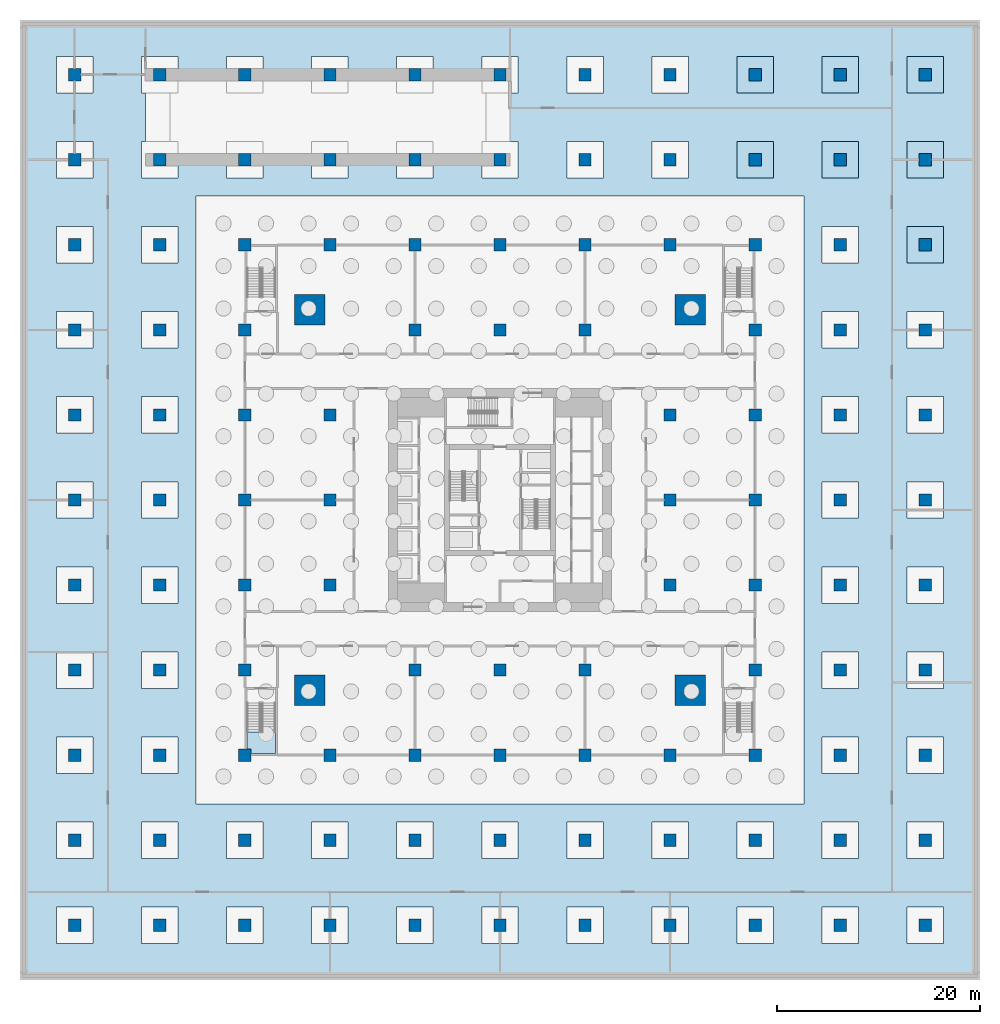
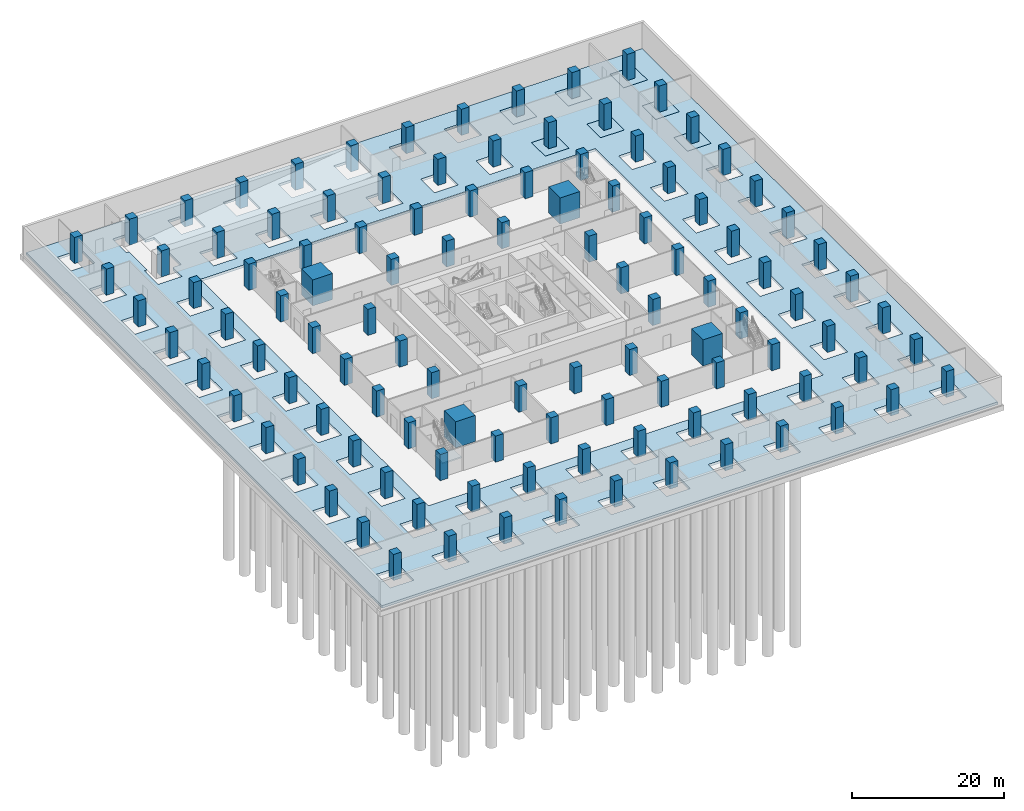
# One storey, part 2 of 19: 112 columns, 7 footings, 2 slabs, 1 element without a shape of its own.
"""IFC4 building model written with IfcOpenShell, lengths in metres."""

from ifc_helpers import new_model, si_unit, direction, frame, origin, origin_2d, place, context, subcontext, project, spatial, polyline, rectangle, outline, extrude, material, layer, layer_set, material_profile, profile_set, type_object, element, aggregate, save


model = new_model("IFC4")

# Units and contexts
model_context = context("Model", 3, precision=1e-05, world=origin(), true_north=direction((0.0, 1.0)))
body_context = subcontext(model_context, "Body", "Model", "MODEL_VIEW")
ifc_project = project(units=[si_unit("LENGTHUNIT", "METRE"), si_unit("AREAUNIT", "SQUARE_METRE"), si_unit("VOLUMEUNIT", "CUBIC_METRE"), si_unit("PLANEANGLEUNIT", "RADIAN"), si_unit("MASSUNIT", "GRAM", prefix="KILO")], contexts=[model_context])

# Site, building, storey
site_placement = place(None, origin())
site = spatial("IfcSite", under=ifc_project, at=site_placement, CompositionType="ELEMENT")
building_placement = place(site_placement, origin())
building = spatial("IfcBuilding", under=site, at=building_placement, Name="Khepri Terraces", CompositionType="ELEMENT")
storey_placement = place(building_placement, frame((0.0, 0.0, -8.39990234375)))
storey = spatial("IfcBuildingStorey", under=building, at=storey_placement, Name="B2", CompositionType="ELEMENT", Elevation=-8.39990234375)

# Footings
ifc_material_1 = material(Name="Concrete C45/55", Category="concrete")
footing_type = type_object("IfcFootingType", Name="Pad footing PF1", PredefinedType="PAD_FOOTING", material=ifc_material_1)
for number, where, z_axis, x_axis, name in (
    (1, (25.199951171875, 33.60009765625, -1.5), (0.0, 0.0, 1.0), (1.0, 0.0, 0.0), "Pad footing PF1 G+252+336"),
    (2, (25.199951171875, 42.0, -1.5), (0.0, 0.0, 1.0), (1.0, 0.0, 0.0), "Pad footing PF1 G+252+420"),
    (3, (33.60009765625, 33.60009765625, -1.5), (0.0, 0.0, 1.0), (1.0, 0.0, 0.0), "Pad footing PF1 G+336+336"),
    (4, (33.60009765625, 42.0, -1.5), (0.0, 0.0, 1.0), (1.0, 0.0, 0.0), "Pad footing PF1 G+336+420"),
    (5, (42.0, 25.199951171875, -1.5), (0.0, 0.0, 1.0), (1.0, 0.0, 0.0), "Pad footing PF1 G+420+252"),
    (6, (42.0, 33.60009765625, -1.5), (0.0, 0.0, 1.0), (1.0, 0.0, 0.0), "Pad footing PF1 G+420+336"),
    (7, (42.0, 42.0, -1.5), (0.0, 0.0, 1.0), (1.0, 0.0, 0.0), "Pad footing PF1 G+420+420"),
):
    element("IfcFooting", number, at=place(storey_placement, frame(where, z_axis=z_axis, x_axis=x_axis)), inside=storey, type_object=footing_type, Name=name, PredefinedType="PAD_FOOTING", context=body_context, shape_type="SweptSolid", body=[
        extrude(rectangle(XDim=3.60009765625, YDim=3.60009765625, at=origin_2d()), origin(), (0.0, 0.0, 1.0), 1.5),
    ])

# Columns
ifc_material_2 = material(Name="Concrete C80/95", Category="concrete")
ifc_material_profile_1 = material_profile(ifc_material_2, rectangle(XDim=3.0, YDim=3.0, at=origin_2d()), Name="Concrete C80/95", Category="concrete")
ifc_profile_set_1 = profile_set([ifc_material_profile_1], Name="Concrete C80/95")
column_type_1 = type_object("IfcColumnType", Name="Mega column RC 3000x3000 C80/95", PredefinedType="COLUMN", material=ifc_profile_set_1)
for number, where, z_axis, x_axis, name in (
    (8, (18.800048828125, 18.800048828125, 0.0), (0.0, 0.0, 1.0), (1.0, 0.0, 0.0), "Mega column MEN B2"),
    (9, (18.800048828125, -18.800048828125, 0.0), (0.0, 0.0, 1.0), (1.0, 0.0, 0.0), "Mega column MES B2"),
    (10, (-18.800048828125, 18.800048828125, 0.0), (0.0, 0.0, 1.0), (1.0, 0.0, 0.0), "Mega column MWN B2"),
    (11, (-18.800048828125, -18.800048828125, 0.0), (0.0, 0.0, 1.0), (1.0, 0.0, 0.0), "Mega column MWS B2"),
):
    element("IfcColumn", number, at=place(storey_placement, frame(where, z_axis=z_axis, x_axis=x_axis)), inside=storey, type_object=column_type_1, Name=name, PredefinedType="COLUMN", context=body_context, shape_type="SweptSolid", body=[
        extrude(rectangle(XDim=3.0, YDim=3.0, at=origin_2d()), origin(), (0.0, 0.0, 1.0), 4.199951171875),
    ])
ifc_material_3 = material(Name="Concrete C60/75", Category="concrete")
ifc_material_profile_2 = material_profile(ifc_material_3, rectangle(XDim=1.199951171875, YDim=1.199951171875, at=origin_2d()), Name="Concrete C60/75", Category="concrete")
ifc_profile_set_2 = profile_set([ifc_material_profile_2], Name="Concrete C60/75")
column_type_2 = type_object("IfcColumnType", Name="Podium column RC 1200x1200 C60/75", PredefinedType="COLUMN", material=ifc_profile_set_2)
for number, where, z_axis, x_axis, name in (
    (12, (0.0, 16.800048828125, 0.0), (0.0, 0.0, 1.0), (1.0, 0.0, 0.0), "Podium column G+000+168 B2"),
    (13, (0.0, 33.60009765625, 0.0), (0.0, 0.0, 1.0), (1.0, 0.0, 0.0), "Podium column G+000+336 B2"),
    (14, (0.0, 42.0, 0.0), (0.0, 0.0, 1.0), (1.0, 0.0, 0.0), "Podium column G+000+420 B2"),
    (15, (0.0, -16.800048828125, 0.0), (0.0, 0.0, 1.0), (1.0, 0.0, 0.0), "Podium column G+000-168 B2"),
    (16, (0.0, -33.60009765625, 0.0), (0.0, 0.0, 1.0), (1.0, 0.0, 0.0), "Podium column G+000-336 B2"),
    (17, (0.0, -42.0, 0.0), (0.0, 0.0, 1.0), (1.0, 0.0, 0.0), "Podium column G+000-420 B2"),
    (18, (8.39990234375, 16.800048828125, 0.0), (0.0, 0.0, 1.0), (1.0, 0.0, 0.0), "Podium column G+084+168 B2"),
    (19, (8.39990234375, 33.60009765625, 0.0), (0.0, 0.0, 1.0), (1.0, 0.0, 0.0), "Podium column G+084+336 B2"),
    (20, (8.39990234375, 42.0, 0.0), (0.0, 0.0, 1.0), (1.0, 0.0, 0.0), "Podium column G+084+420 B2"),
    (21, (8.39990234375, -16.800048828125, 0.0), (0.0, 0.0, 1.0), (1.0, 0.0, 0.0), "Podium column G+084-168 B2"),
    (22, (8.39990234375, -33.60009765625, 0.0), (0.0, 0.0, 1.0), (1.0, 0.0, 0.0), "Podium column G+084-336 B2"),
    (23, (8.39990234375, -42.0, 0.0), (0.0, 0.0, 1.0), (1.0, 0.0, 0.0), "Podium column G+084-420 B2"),
    (24, (16.800048828125, 0.0, 0.0), (0.0, 0.0, 1.0), (1.0, 0.0, 0.0), "Podium column G+168+000 B2"),
    (25, (16.800048828125, 8.39990234375, 0.0), (0.0, 0.0, 1.0), (1.0, 0.0, 0.0), "Podium column G+168+084 B2"),
    (26, (16.800048828125, 33.60009765625, 0.0), (0.0, 0.0, 1.0), (1.0, 0.0, 0.0), "Podium column G+168+336 B2"),
    (27, (16.800048828125, 42.0, 0.0), (0.0, 0.0, 1.0), (1.0, 0.0, 0.0), "Podium column G+168+420 B2"),
    (28, (16.800048828125, -8.39990234375, 0.0), (0.0, 0.0, 1.0), (1.0, 0.0, 0.0), "Podium column G+168-084 B2"),
    (29, (16.800048828125, -33.60009765625, 0.0), (0.0, 0.0, 1.0), (1.0, 0.0, 0.0), "Podium column G+168-336 B2"),
    (30, (16.800048828125, -42.0, 0.0), (0.0, 0.0, 1.0), (1.0, 0.0, 0.0), "Podium column G+168-420 B2"),
    (31, (25.199951171875, 25.199951171875, 0.0), (0.0, 0.0, 1.0), (1.0, 0.0, 0.0), "Podium column G+252+252 B2"),
    (32, (25.199951171875, 33.60009765625, 0.0), (0.0, 0.0, 1.0), (1.0, 0.0, 0.0), "Podium column G+252+336 B2"),
    (33, (25.199951171875, 42.0, 0.0), (0.0, 0.0, 1.0), (1.0, 0.0, 0.0), "Podium column G+252+420 B2"),
    (34, (25.199951171875, -25.199951171875, 0.0), (0.0, 0.0, 1.0), (1.0, 0.0, 0.0), "Podium column G+252-252 B2"),
    (35, (25.199951171875, -33.60009765625, 0.0), (0.0, 0.0, 1.0), (1.0, 0.0, 0.0), "Podium column G+252-336 B2"),
    (36, (25.199951171875, -42.0, 0.0), (0.0, 0.0, 1.0), (1.0, 0.0, 0.0), "Podium column G+252-420 B2"),
    (37, (33.60009765625, 0.0, 0.0), (0.0, 0.0, 1.0), (1.0, 0.0, 0.0), "Podium column G+336+000 B2"),
    (38, (33.60009765625, 8.39990234375, 0.0), (0.0, 0.0, 1.0), (1.0, 0.0, 0.0), "Podium column G+336+084 B2"),
    (39, (33.60009765625, 16.800048828125, 0.0), (0.0, 0.0, 1.0), (1.0, 0.0, 0.0), "Podium column G+336+168 B2"),
    (40, (33.60009765625, 25.199951171875, 0.0), (0.0, 0.0, 1.0), (1.0, 0.0, 0.0), "Podium column G+336+252 B2"),
    (41, (33.60009765625, 33.60009765625, 0.0), (0.0, 0.0, 1.0), (1.0, 0.0, 0.0), "Podium column G+336+336 B2"),
    (42, (33.60009765625, 42.0, 0.0), (0.0, 0.0, 1.0), (1.0, 0.0, 0.0), "Podium column G+336+420 B2"),
    (43, (33.60009765625, -8.39990234375, 0.0), (0.0, 0.0, 1.0), (1.0, 0.0, 0.0), "Podium column G+336-084 B2"),
    (44, (33.60009765625, -16.800048828125, 0.0), (0.0, 0.0, 1.0), (1.0, 0.0, 0.0), "Podium column G+336-168 B2"),
    (45, (33.60009765625, -25.199951171875, 0.0), (0.0, 0.0, 1.0), (1.0, 0.0, 0.0), "Podium column G+336-252 B2"),
    (46, (33.60009765625, -33.60009765625, 0.0), (0.0, 0.0, 1.0), (1.0, 0.0, 0.0), "Podium column G+336-336 B2"),
    (47, (33.60009765625, -42.0, 0.0), (0.0, 0.0, 1.0), (1.0, 0.0, 0.0), "Podium column G+336-420 B2"),
    (48, (42.0, 0.0, 0.0), (0.0, 0.0, 1.0), (1.0, 0.0, 0.0), "Podium column G+420+000 B2"),
    (49, (42.0, 8.39990234375, 0.0), (0.0, 0.0, 1.0), (1.0, 0.0, 0.0), "Podium column G+420+084 B2"),
    (50, (42.0, 16.800048828125, 0.0), (0.0, 0.0, 1.0), (1.0, 0.0, 0.0), "Podium column G+420+168 B2"),
    (51, (42.0, 25.199951171875, 0.0), (0.0, 0.0, 1.0), (1.0, 0.0, 0.0), "Podium column G+420+252 B2"),
    (52, (42.0, 33.60009765625, 0.0), (0.0, 0.0, 1.0), (1.0, 0.0, 0.0), "Podium column G+420+336 B2"),
    (53, (42.0, 42.0, 0.0), (0.0, 0.0, 1.0), (1.0, 0.0, 0.0), "Podium column G+420+420 B2"),
    (54, (42.0, -8.39990234375, 0.0), (0.0, 0.0, 1.0), (1.0, 0.0, 0.0), "Podium column G+420-084 B2"),
    (55, (42.0, -16.800048828125, 0.0), (0.0, 0.0, 1.0), (1.0, 0.0, 0.0), "Podium column G+420-168 B2"),
    (56, (42.0, -25.199951171875, 0.0), (0.0, 0.0, 1.0), (1.0, 0.0, 0.0), "Podium column G+420-252 B2"),
    (57, (42.0, -33.60009765625, 0.0), (0.0, 0.0, 1.0), (1.0, 0.0, 0.0), "Podium column G+420-336 B2"),
    (58, (42.0, -42.0, 0.0), (0.0, 0.0, 1.0), (1.0, 0.0, 0.0), "Podium column G+420-420 B2"),
    (59, (-8.39990234375, 16.800048828125, 0.0), (0.0, 0.0, 1.0), (1.0, 0.0, 0.0), "Podium column G-084+168 B2"),
    (60, (-8.39990234375, 33.60009765625, 0.0), (0.0, 0.0, 1.0), (1.0, 0.0, 0.0), "Podium column G-084+336 B2"),
    (61, (-8.39990234375, 42.0, 0.0), (0.0, 0.0, 1.0), (1.0, 0.0, 0.0), "Podium column G-084+420 B2"),
    (62, (-8.39990234375, -16.800048828125, 0.0), (0.0, 0.0, 1.0), (1.0, 0.0, 0.0), "Podium column G-084-168 B2"),
    (63, (-8.39990234375, -33.60009765625, 0.0), (0.0, 0.0, 1.0), (1.0, 0.0, 0.0), "Podium column G-084-336 B2"),
    (64, (-8.39990234375, -42.0, 0.0), (0.0, 0.0, 1.0), (1.0, 0.0, 0.0), "Podium column G-084-420 B2"),
    (65, (-16.800048828125, 0.0, 0.0), (0.0, 0.0, 1.0), (1.0, 0.0, 0.0), "Podium column G-168+000 B2"),
    (66, (-16.800048828125, 8.39990234375, 0.0), (0.0, 0.0, 1.0), (1.0, 0.0, 0.0), "Podium column G-168+084 B2"),
    (67, (-16.800048828125, 33.60009765625, 0.0), (0.0, 0.0, 1.0), (1.0, 0.0, 0.0), "Podium column G-168+336 B2"),
    (68, (-16.800048828125, 42.0, 0.0), (0.0, 0.0, 1.0), (1.0, 0.0, 0.0), "Podium column G-168+420 B2"),
    (69, (-16.800048828125, -8.39990234375, 0.0), (0.0, 0.0, 1.0), (1.0, 0.0, 0.0), "Podium column G-168-084 B2"),
    (70, (-16.800048828125, -33.60009765625, 0.0), (0.0, 0.0, 1.0), (1.0, 0.0, 0.0), "Podium column G-168-336 B2"),
    (71, (-16.800048828125, -42.0, 0.0), (0.0, 0.0, 1.0), (1.0, 0.0, 0.0), "Podium column G-168-420 B2"),
    (72, (-25.199951171875, 25.199951171875, 0.0), (0.0, 0.0, 1.0), (1.0, 0.0, 0.0), "Podium column G-252+252 B2"),
    (73, (-25.199951171875, 33.60009765625, 0.0), (0.0, 0.0, 1.0), (1.0, 0.0, 0.0), "Podium column G-252+336 B2"),
    (74, (-25.199951171875, 42.0, 0.0), (0.0, 0.0, 1.0), (1.0, 0.0, 0.0), "Podium column G-252+420 B2"),
    (75, (-25.199951171875, -25.199951171875, 0.0), (0.0, 0.0, 1.0), (1.0, 0.0, 0.0), "Podium column G-252-252 B2"),
    (76, (-25.199951171875, -33.60009765625, 0.0), (0.0, 0.0, 1.0), (1.0, 0.0, 0.0), "Podium column G-252-336 B2"),
    (77, (-25.199951171875, -42.0, 0.0), (0.0, 0.0, 1.0), (1.0, 0.0, 0.0), "Podium column G-252-420 B2"),
    (78, (-33.60009765625, 0.0, 0.0), (0.0, 0.0, 1.0), (1.0, 0.0, 0.0), "Podium column G-336+000 B2"),
    (79, (-33.60009765625, 8.39990234375, 0.0), (0.0, 0.0, 1.0), (1.0, 0.0, 0.0), "Podium column G-336+084 B2"),
    (80, (-33.60009765625, 16.800048828125, 0.0), (0.0, 0.0, 1.0), (1.0, 0.0, 0.0), "Podium column G-336+168 B2"),
    (81, (-33.60009765625, 25.199951171875, 0.0), (0.0, 0.0, 1.0), (1.0, 0.0, 0.0), "Podium column G-336+252 B2"),
    (82, (-33.60009765625, 33.60009765625, 0.0), (0.0, 0.0, 1.0), (1.0, 0.0, 0.0), "Podium column G-336+336 B2"),
    (83, (-33.60009765625, 42.0, 0.0), (0.0, 0.0, 1.0), (1.0, 0.0, 0.0), "Podium column G-336+420 B2"),
    (84, (-33.60009765625, -8.39990234375, 0.0), (0.0, 0.0, 1.0), (1.0, 0.0, 0.0), "Podium column G-336-084 B2"),
    (85, (-33.60009765625, -16.800048828125, 0.0), (0.0, 0.0, 1.0), (1.0, 0.0, 0.0), "Podium column G-336-168 B2"),
    (86, (-33.60009765625, -25.199951171875, 0.0), (0.0, 0.0, 1.0), (1.0, 0.0, 0.0), "Podium column G-336-252 B2"),
    (87, (-33.60009765625, -33.60009765625, 0.0), (0.0, 0.0, 1.0), (1.0, 0.0, 0.0), "Podium column G-336-336 B2"),
    (88, (-33.60009765625, -42.0, 0.0), (0.0, 0.0, 1.0), (1.0, 0.0, 0.0), "Podium column G-336-420 B2"),
    (89, (-42.0, 0.0, 0.0), (0.0, 0.0, 1.0), (1.0, 0.0, 0.0), "Podium column G-420+000 B2"),
    (90, (-42.0, 8.39990234375, 0.0), (0.0, 0.0, 1.0), (1.0, 0.0, 0.0), "Podium column G-420+084 B2"),
    (91, (-42.0, 16.800048828125, 0.0), (0.0, 0.0, 1.0), (1.0, 0.0, 0.0), "Podium column G-420+168 B2"),
    (92, (-42.0, 25.199951171875, 0.0), (0.0, 0.0, 1.0), (1.0, 0.0, 0.0), "Podium column G-420+252 B2"),
    (93, (-42.0, 33.60009765625, 0.0), (0.0, 0.0, 1.0), (1.0, 0.0, 0.0), "Podium column G-420+336 B2"),
    (94, (-42.0, 42.0, 0.0), (0.0, 0.0, 1.0), (1.0, 0.0, 0.0), "Podium column G-420+420 B2"),
    (95, (-42.0, -8.39990234375, 0.0), (0.0, 0.0, 1.0), (1.0, 0.0, 0.0), "Podium column G-420-084 B2"),
    (96, (-42.0, -16.800048828125, 0.0), (0.0, 0.0, 1.0), (1.0, 0.0, 0.0), "Podium column G-420-168 B2"),
    (97, (-42.0, -25.199951171875, 0.0), (0.0, 0.0, 1.0), (1.0, 0.0, 0.0), "Podium column G-420-252 B2"),
    (98, (-42.0, -33.60009765625, 0.0), (0.0, 0.0, 1.0), (1.0, 0.0, 0.0), "Podium column G-420-336 B2"),
    (99, (-42.0, -42.0, 0.0), (0.0, 0.0, 1.0), (1.0, 0.0, 0.0), "Podium column G-420-420 B2"),
):
    element("IfcColumn", number, at=place(storey_placement, frame(where, z_axis=z_axis, x_axis=x_axis)), inside=storey, type_object=column_type_2, Name=name, PredefinedType="COLUMN", context=body_context, shape_type="SweptSolid", body=[
        extrude(rectangle(XDim=1.199951171875, YDim=1.199951171875, at=origin_2d()), origin(), (0.0, 0.0, 1.0), 4.199951171875),
    ])
ifc_material_profile_3 = material_profile(ifc_material_2, rectangle(XDim=1.199951171875, YDim=1.199951171875, at=origin_2d()), Name="Concrete C80/95", Category="concrete")
ifc_profile_set_3 = profile_set([ifc_material_profile_3], Name="Concrete C80/95")
column_type_3 = type_object("IfcColumnType", Name="Tower column RC 1200x1200 C80/95", PredefinedType="COLUMN", material=ifc_profile_set_3)
for number, where, z_axis, x_axis, name in (
    (100, (25.199951171875, 0.0, 0.0), (0.0, 0.0, 1.0), (1.0, 0.0, 0.0), "Perimeter column PE+000a B2"),
    (101, (25.199951171875, 8.39990234375, 0.0), (0.0, 0.0, 1.0), (1.0, 0.0, 0.0), "Perimeter column PE+084a B2"),
    (102, (25.199951171875, 16.800048828125, 0.0), (0.0, 0.0, 1.0), (1.0, 0.0, 0.0), "Perimeter column PE+168a B2"),
    (103, (25.199951171875, -8.39990234375, 0.0), (0.0, 0.0, 1.0), (1.0, 0.0, 0.0), "Perimeter column PE-084a B2"),
    (104, (25.199951171875, -16.800048828125, 0.0), (0.0, 0.0, 1.0), (1.0, 0.0, 0.0), "Perimeter column PE-168a B2"),
    (105, (0.0, 25.199951171875, 0.0), (0.0, 0.0, 1.0), (1.0, 0.0, 0.0), "Perimeter column PN+000a B2"),
    (106, (-8.39990234375, 25.199951171875, 0.0), (0.0, 0.0, 1.0), (1.0, 0.0, 0.0), "Perimeter column PN+084a B2"),
    (107, (-16.800048828125, 25.199951171875, 0.0), (0.0, 0.0, 1.0), (1.0, 0.0, 0.0), "Perimeter column PN+168a B2"),
    (108, (8.39990234375, 25.199951171875, 0.0), (0.0, 0.0, 1.0), (1.0, 0.0, 0.0), "Perimeter column PN-084a B2"),
    (109, (16.800048828125, 25.199951171875, 0.0), (0.0, 0.0, 1.0), (1.0, 0.0, 0.0), "Perimeter column PN-168a B2"),
    (110, (0.0, -25.199951171875, 0.0), (0.0, 0.0, 1.0), (1.0, 0.0, 0.0), "Perimeter column PS+000a B2"),
    (111, (8.39990234375, -25.199951171875, 0.0), (0.0, 0.0, 1.0), (1.0, 0.0, 0.0), "Perimeter column PS+084a B2"),
    (112, (16.800048828125, -25.199951171875, 0.0), (0.0, 0.0, 1.0), (1.0, 0.0, 0.0), "Perimeter column PS+168a B2"),
    (113, (-8.39990234375, -25.199951171875, 0.0), (0.0, 0.0, 1.0), (1.0, 0.0, 0.0), "Perimeter column PS-084a B2"),
    (114, (-16.800048828125, -25.199951171875, 0.0), (0.0, 0.0, 1.0), (1.0, 0.0, 0.0), "Perimeter column PS-168a B2"),
    (115, (-25.199951171875, 0.0, 0.0), (0.0, 0.0, 1.0), (1.0, 0.0, 0.0), "Perimeter column PW+000a B2"),
    (116, (-25.199951171875, -8.39990234375, 0.0), (0.0, 0.0, 1.0), (1.0, 0.0, 0.0), "Perimeter column PW+084a B2"),
    (117, (-25.199951171875, -16.800048828125, 0.0), (0.0, 0.0, 1.0), (1.0, 0.0, 0.0), "Perimeter column PW+168a B2"),
    (118, (-25.199951171875, 8.39990234375, 0.0), (0.0, 0.0, 1.0), (1.0, 0.0, 0.0), "Perimeter column PW-084a B2"),
    (119, (-25.199951171875, 16.800048828125, 0.0), (0.0, 0.0, 1.0), (1.0, 0.0, 0.0), "Perimeter column PW-168a B2"),
):
    element("IfcColumn", number, at=place(storey_placement, frame(where, z_axis=z_axis, x_axis=x_axis)), inside=storey, type_object=column_type_3, Name=name, PredefinedType="COLUMN", context=body_context, shape_type="SweptSolid", body=[
        extrude(rectangle(XDim=1.199951171875, YDim=1.199951171875, at=origin_2d()), origin(), (0.0, 0.0, 1.0), 4.199951171875),
    ])

# Slab
ifc_material_4 = material(Name="Concrete C40/50", Category="concrete")
ifc_layer_1 = layer(ifc_material_4, 0.39990234375, Name="Concrete C40/50", Category="concrete")
ifc_layer_set_1 = layer_set([ifc_layer_1], Name="Concrete C40/50")
slab_type_1 = type_object("IfcSlabType", Name="Base slab 400", PredefinedType="BASESLAB", material=ifc_layer_set_1)
slab_1_placement = place(storey_placement, frame((0.0, 0.0, -0.400146484375)))
element("IfcSlab", 120, at=slab_1_placement, inside=storey, type_object=slab_type_1, Name="Base slab 01", PredefinedType="BASESLAB", context=body_context, shape_type="SweptSolid", body=[
    extrude(outline(polyline([(-46.800048828125, 46.800048828125), (46.800048828125, 46.800048828125), (46.800048828125, -46.800048828125), (-46.800048828125, -46.800048828125), (-46.800048828125, 46.800048828125)]), holes=[polyline([(-30.0, 30.0), (-30.0, -30.0), (30.0, -30.0), (30.0, 30.0), (-30.0, 30.0)]), polyline([(-40.199951171875, -40.199951171875), (-43.800048828125, -40.199951171875), (-43.800048828125, -43.800048828125), (-40.199951171875, -43.800048828125), (-40.199951171875, -40.199951171875)]), polyline([(-40.199951171875, -35.39990234375), (-40.199951171875, -31.800048828125), (-43.800048828125, -31.800048828125), (-43.800048828125, -35.39990234375), (-40.199951171875, -35.39990234375)]), polyline([(-43.800048828125, -27.0), (-40.199951171875, -27.0), (-40.199951171875, -23.39990234375), (-43.800048828125, -23.39990234375), (-43.800048828125, -27.0)]), polyline([(-43.800048828125, -15.0), (-43.800048828125, -18.60009765625), (-40.199951171875, -18.60009765625), (-40.199951171875, -15.0), (-43.800048828125, -15.0)]), polyline([(-40.199951171875, -6.60009765625), (-43.800048828125, -6.60009765625), (-43.800048828125, -10.199951171875), (-40.199951171875, -10.199951171875), (-40.199951171875, -6.60009765625)]), polyline([(-40.199951171875, -1.800048828125), (-40.199951171875, 1.800048828125), (-43.800048828125, 1.800048828125), (-43.800048828125, -1.800048828125), (-40.199951171875, -1.800048828125)]), polyline([(-43.800048828125, 6.60009765625), (-40.199951171875, 6.60009765625), (-40.199951171875, 10.199951171875), (-43.800048828125, 10.199951171875), (-43.800048828125, 6.60009765625)]), polyline([(-43.800048828125, 18.60009765625), (-43.800048828125, 15.0), (-40.199951171875, 15.0), (-40.199951171875, 18.60009765625), (-43.800048828125, 18.60009765625)]), polyline([(-40.199951171875, 27.0), (-43.800048828125, 27.0), (-43.800048828125, 23.39990234375), (-40.199951171875, 23.39990234375), (-40.199951171875, 27.0)]), polyline([(-40.199951171875, 31.800048828125), (-40.199951171875, 35.39990234375), (-43.800048828125, 35.39990234375), (-43.800048828125, 31.800048828125), (-40.199951171875, 31.800048828125)]), polyline([(-43.800048828125, 40.199951171875), (-40.199951171875, 40.199951171875), (-40.199951171875, 43.800048828125), (-43.800048828125, 43.800048828125), (-43.800048828125, 40.199951171875)]), polyline([(-35.39990234375, -40.199951171875), (-35.39990234375, -43.800048828125), (-31.800048828125, -43.800048828125), (-31.800048828125, -40.199951171875), (-35.39990234375, -40.199951171875)]), polyline([(-31.800048828125, -31.800048828125), (-35.39990234375, -31.800048828125), (-35.39990234375, -35.39990234375), (-31.800048828125, -35.39990234375), (-31.800048828125, -31.800048828125)]), polyline([(-31.800048828125, -27.0), (-31.800048828125, -23.39990234375), (-35.39990234375, -23.39990234375), (-35.39990234375, -27.0), (-31.800048828125, -27.0)]), polyline([(-35.39990234375, -18.60009765625), (-31.800048828125, -18.60009765625), (-31.800048828125, -15.0), (-35.39990234375, -15.0), (-35.39990234375, -18.60009765625)]), polyline([(-35.39990234375, -6.60009765625), (-35.39990234375, -10.199951171875), (-31.800048828125, -10.199951171875), (-31.800048828125, -6.60009765625), (-35.39990234375, -6.60009765625)]), polyline([(-31.800048828125, 1.800048828125), (-35.39990234375, 1.800048828125), (-35.39990234375, -1.800048828125), (-31.800048828125, -1.800048828125), (-31.800048828125, 1.800048828125)]), polyline([(-31.800048828125, 6.60009765625), (-31.800048828125, 10.199951171875), (-35.39990234375, 10.199951171875), (-35.39990234375, 6.60009765625), (-31.800048828125, 6.60009765625)]), polyline([(-35.39990234375, 15.0), (-31.800048828125, 15.0), (-31.800048828125, 18.60009765625), (-35.39990234375, 18.60009765625), (-35.39990234375, 15.0)]), polyline([(-35.39990234375, 27.0), (-35.39990234375, 23.39990234375), (-31.800048828125, 23.39990234375), (-31.800048828125, 27.0), (-35.39990234375, 27.0)]), polyline([(-31.800048828125, 34.199951171875), (-30.5, 34.199951171875), (-30.5, 41.39990234375), (-31.800048828125, 41.39990234375), (-31.800048828125, 43.800048828125), (-35.39990234375, 43.800048828125), (-35.39990234375, 40.199951171875), (-35.0, 40.199951171875), (-35.0, 35.39990234375), (-35.39990234375, 35.39990234375), (-35.39990234375, 31.800048828125), (-31.800048828125, 31.800048828125), (-31.800048828125, 34.199951171875)]), polyline([(-27.0, -43.800048828125), (-23.39990234375, -43.800048828125), (-23.39990234375, -40.199951171875), (-27.0, -40.199951171875), (-27.0, -43.800048828125)]), polyline([(-27.0, -31.800048828125), (-27.0, -35.39990234375), (-23.39990234375, -35.39990234375), (-23.39990234375, -31.800048828125), (-27.0, -31.800048828125)]), polyline([(-23.39990234375, 35.39990234375), (-27.0, 35.39990234375), (-27.0, 31.800048828125), (-23.39990234375, 31.800048828125), (-23.39990234375, 35.39990234375)]), polyline([(-23.39990234375, 40.199951171875), (-23.39990234375, 43.800048828125), (-27.0, 43.800048828125), (-27.0, 40.199951171875), (-23.39990234375, 40.199951171875)]), polyline([(-18.60009765625, -43.800048828125), (-15.0, -43.800048828125), (-15.0, -40.199951171875), (-18.60009765625, -40.199951171875), (-18.60009765625, -43.800048828125)]), polyline([(-18.60009765625, -31.800048828125), (-18.60009765625, -35.39990234375), (-15.0, -35.39990234375), (-15.0, -31.800048828125), (-18.60009765625, -31.800048828125)]), polyline([(-15.0, 35.39990234375), (-18.60009765625, 35.39990234375), (-18.60009765625, 31.800048828125), (-15.0, 31.800048828125), (-15.0, 35.39990234375)]), polyline([(-15.0, 40.199951171875), (-15.0, 43.800048828125), (-18.60009765625, 43.800048828125), (-18.60009765625, 40.199951171875), (-15.0, 40.199951171875)]), polyline([(-10.199951171875, -43.800048828125), (-6.60009765625, -43.800048828125), (-6.60009765625, -40.199951171875), (-10.199951171875, -40.199951171875), (-10.199951171875, -43.800048828125)]), polyline([(-10.199951171875, -31.800048828125), (-10.199951171875, -35.39990234375), (-6.60009765625, -35.39990234375), (-6.60009765625, -31.800048828125), (-10.199951171875, -31.800048828125)]), polyline([(-6.60009765625, 35.39990234375), (-10.199951171875, 35.39990234375), (-10.199951171875, 31.800048828125), (-6.60009765625, 31.800048828125), (-6.60009765625, 35.39990234375)]), polyline([(-6.60009765625, 40.199951171875), (-6.60009765625, 43.800048828125), (-10.199951171875, 43.800048828125), (-10.199951171875, 40.199951171875), (-6.60009765625, 40.199951171875)]), polyline([(-1.800048828125, -43.800048828125), (1.800048828125, -43.800048828125), (1.800048828125, -40.199951171875), (-1.800048828125, -40.199951171875), (-1.800048828125, -43.800048828125)]), polyline([(-1.800048828125, -31.800048828125), (-1.800048828125, -35.39990234375), (1.800048828125, -35.39990234375), (1.800048828125, -31.800048828125), (-1.800048828125, -31.800048828125)]), polyline([(1.800048828125, 35.39990234375), (-1.800048828125, 35.39990234375), (-1.800048828125, 31.800048828125), (1.800048828125, 31.800048828125), (1.800048828125, 35.39990234375)]), polyline([(1.800048828125, 40.199951171875), (1.800048828125, 43.800048828125), (-1.800048828125, 43.800048828125), (-1.800048828125, 40.199951171875), (1.800048828125, 40.199951171875)]), polyline([(6.60009765625, -43.800048828125), (10.199951171875, -43.800048828125), (10.199951171875, -40.199951171875), (6.60009765625, -40.199951171875), (6.60009765625, -43.800048828125)]), polyline([(6.60009765625, -31.800048828125), (6.60009765625, -35.39990234375), (10.199951171875, -35.39990234375), (10.199951171875, -31.800048828125), (6.60009765625, -31.800048828125)]), polyline([(10.199951171875, 35.39990234375), (6.60009765625, 35.39990234375), (6.60009765625, 31.800048828125), (10.199951171875, 31.800048828125), (10.199951171875, 35.39990234375)]), polyline([(10.199951171875, 40.199951171875), (10.199951171875, 43.800048828125), (6.60009765625, 43.800048828125), (6.60009765625, 40.199951171875), (10.199951171875, 40.199951171875)]), polyline([(15.0, -43.800048828125), (18.60009765625, -43.800048828125), (18.60009765625, -40.199951171875), (15.0, -40.199951171875), (15.0, -43.800048828125)]), polyline([(15.0, -31.800048828125), (15.0, -35.39990234375), (18.60009765625, -35.39990234375), (18.60009765625, -31.800048828125), (15.0, -31.800048828125)]), polyline([(18.60009765625, 35.39990234375), (15.0, 35.39990234375), (15.0, 31.800048828125), (18.60009765625, 31.800048828125), (18.60009765625, 35.39990234375)]), polyline([(18.60009765625, 40.199951171875), (18.60009765625, 43.800048828125), (15.0, 43.800048828125), (15.0, 40.199951171875), (18.60009765625, 40.199951171875)]), polyline([(23.39990234375, -43.800048828125), (27.0, -43.800048828125), (27.0, -40.199951171875), (23.39990234375, -40.199951171875), (23.39990234375, -43.800048828125)]), polyline([(23.39990234375, -31.800048828125), (23.39990234375, -35.39990234375), (27.0, -35.39990234375), (27.0, -31.800048828125), (23.39990234375, -31.800048828125)]), polyline([(27.0, 35.39990234375), (23.39990234375, 35.39990234375), (23.39990234375, 31.800048828125), (27.0, 31.800048828125), (27.0, 35.39990234375)]), polyline([(27.0, 40.199951171875), (27.0, 43.800048828125), (23.39990234375, 43.800048828125), (23.39990234375, 40.199951171875), (27.0, 40.199951171875)]), polyline([(31.800048828125, -43.800048828125), (35.39990234375, -43.800048828125), (35.39990234375, -40.199951171875), (31.800048828125, -40.199951171875), (31.800048828125, -43.800048828125)]), polyline([(31.800048828125, -31.800048828125), (31.800048828125, -35.39990234375), (35.39990234375, -35.39990234375), (35.39990234375, -31.800048828125), (31.800048828125, -31.800048828125)]), polyline([(35.39990234375, -23.39990234375), (31.800048828125, -23.39990234375), (31.800048828125, -27.0), (35.39990234375, -27.0), (35.39990234375, -23.39990234375)]), polyline([(35.39990234375, -18.60009765625), (35.39990234375, -15.0), (31.800048828125, -15.0), (31.800048828125, -18.60009765625), (35.39990234375, -18.60009765625)]), polyline([(31.800048828125, -10.199951171875), (35.39990234375, -10.199951171875), (35.39990234375, -6.60009765625), (31.800048828125, -6.60009765625), (31.800048828125, -10.199951171875)]), polyline([(31.800048828125, 1.800048828125), (31.800048828125, -1.800048828125), (35.39990234375, -1.800048828125), (35.39990234375, 1.800048828125), (31.800048828125, 1.800048828125)]), polyline([(35.39990234375, 10.199951171875), (31.800048828125, 10.199951171875), (31.800048828125, 6.60009765625), (35.39990234375, 6.60009765625), (35.39990234375, 10.199951171875)]), polyline([(35.39990234375, 15.0), (35.39990234375, 18.60009765625), (31.800048828125, 18.60009765625), (31.800048828125, 15.0), (35.39990234375, 15.0)]), polyline([(31.800048828125, 23.39990234375), (35.39990234375, 23.39990234375), (35.39990234375, 27.0), (31.800048828125, 27.0), (31.800048828125, 23.39990234375)]), polyline([(31.800048828125, 35.39990234375), (31.800048828125, 31.800048828125), (35.39990234375, 31.800048828125), (35.39990234375, 35.39990234375), (31.800048828125, 35.39990234375)]), polyline([(35.39990234375, 43.800048828125), (31.800048828125, 43.800048828125), (31.800048828125, 40.199951171875), (35.39990234375, 40.199951171875), (35.39990234375, 43.800048828125)]), polyline([(43.800048828125, -43.800048828125), (43.800048828125, -40.199951171875), (40.199951171875, -40.199951171875), (40.199951171875, -43.800048828125), (43.800048828125, -43.800048828125)]), polyline([(40.199951171875, -35.39990234375), (43.800048828125, -35.39990234375), (43.800048828125, -31.800048828125), (40.199951171875, -31.800048828125), (40.199951171875, -35.39990234375)]), polyline([(40.199951171875, -23.39990234375), (40.199951171875, -27.0), (43.800048828125, -27.0), (43.800048828125, -23.39990234375), (40.199951171875, -23.39990234375)]), polyline([(43.800048828125, -15.0), (40.199951171875, -15.0), (40.199951171875, -18.60009765625), (43.800048828125, -18.60009765625), (43.800048828125, -15.0)]), polyline([(43.800048828125, -10.199951171875), (43.800048828125, -6.60009765625), (40.199951171875, -6.60009765625), (40.199951171875, -10.199951171875), (43.800048828125, -10.199951171875)]), polyline([(40.199951171875, -1.800048828125), (43.800048828125, -1.800048828125), (43.800048828125, 1.800048828125), (40.199951171875, 1.800048828125), (40.199951171875, -1.800048828125)]), polyline([(40.199951171875, 10.199951171875), (40.199951171875, 6.60009765625), (43.800048828125, 6.60009765625), (43.800048828125, 10.199951171875), (40.199951171875, 10.199951171875)]), polyline([(43.800048828125, 18.60009765625), (40.199951171875, 18.60009765625), (40.199951171875, 15.0), (43.800048828125, 15.0), (43.800048828125, 18.60009765625)]), polyline([(43.800048828125, 23.39990234375), (43.800048828125, 27.0), (40.199951171875, 27.0), (40.199951171875, 23.39990234375), (43.800048828125, 23.39990234375)]), polyline([(40.199951171875, 31.800048828125), (43.800048828125, 31.800048828125), (43.800048828125, 35.39990234375), (40.199951171875, 35.39990234375), (40.199951171875, 31.800048828125)]), polyline([(40.199951171875, 43.800048828125), (40.199951171875, 40.199951171875), (43.800048828125, 40.199951171875), (43.800048828125, 43.800048828125), (40.199951171875, 43.800048828125)])]), origin(), (0.0, 0.0, 1.0), 0.400146484375),
])

# Stair, slab
stair_type = type_object("IfcStairType", Name="ST-POD", PredefinedType="HALF_TURN_STAIR", material=ifc_material_4)
stair_placement = place(storey_placement, origin())
stair = element("IfcStair", 121, at=stair_placement, inside=storey, type_object=stair_type, Name="B2 Exit Stair PS-4", PredefinedType="HALF_TURN_STAIR")
ifc_layer_2 = layer(ifc_material_4, 0.199951171875, Name="Concrete C40/50", Category="concrete")
ifc_layer_set_2 = layer_set([ifc_layer_2], Name="Concrete C40/50")
slab_type_2 = type_object("IfcSlabType", Name="SL-POD", PredefinedType="LANDING", material=ifc_layer_set_2)
slab_2_placement = place(storey_placement, frame((0.0, 0.0, 1.89990234375)))
slab_2 = element("IfcSlab", 122, at=slab_2_placement, type_object=slab_type_2, Name="PS-4 landing 1", PredefinedType="LANDING", context=body_context, shape_type="SweptSolid", body=[
    extrude(outline(polyline([(-25.0, -22.909912109375), (-25.0, -25.0400390625), (-22.14990234375, -25.0400390625), (-22.14990234375, -22.909912109375), (-25.0, -22.909912109375)])), origin(), (0.0, 0.0, 1.0), 0.199951171875),
])
aggregate(stair, [slab_2])

save(model, "model.ifc")
